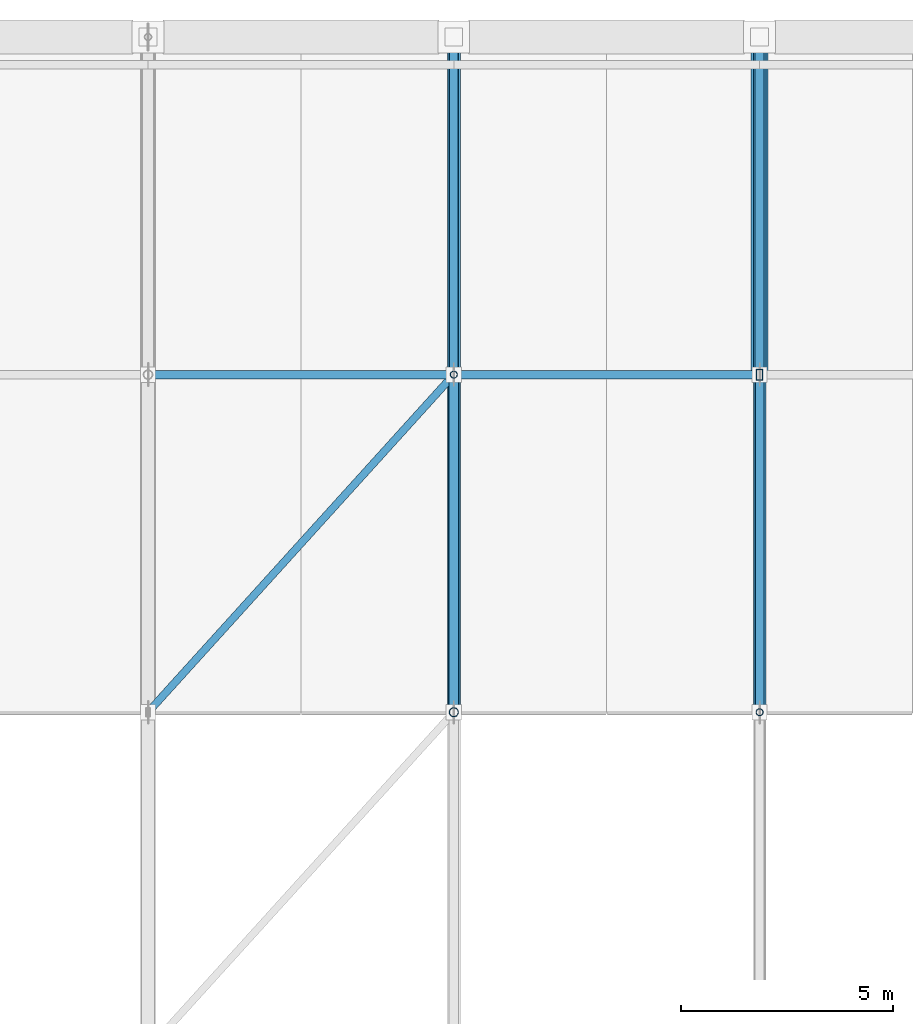
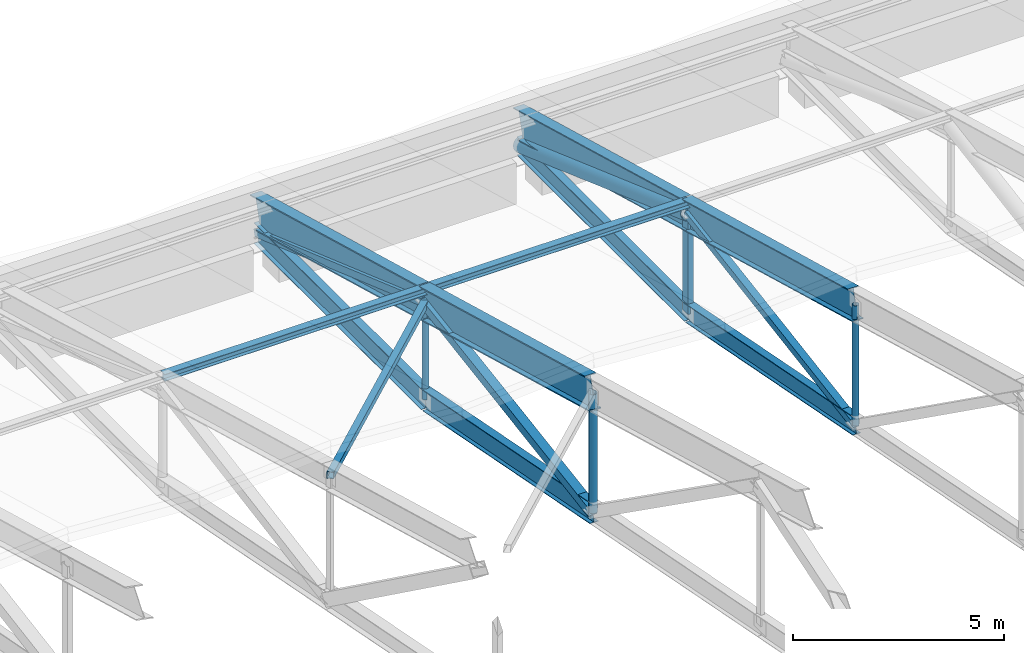
# One storey, part 22 of 53: 11 members, 8 beams.
"""IFC4 building model written with IfcOpenShell, lengths in metres."""

from ifc_helpers import new_model, si_unit, direction, frame, origin, origin_2d, place, context, subcontext, project, spatial, hollow_rectangle, hollow_circle, i_section, extrude, material, material_profile, profile_set, type_object, element, save


model = new_model("IFC4")

# Units and contexts
model_context = context("Model", 3, precision=1e-05, world=origin(), true_north=direction((0.0, 1.0)))
body_context = subcontext(model_context, "Body", "Model", "MODEL_VIEW")
ifc_project = project(units=[si_unit("LENGTHUNIT", "METRE"), si_unit("AREAUNIT", "SQUARE_METRE"), si_unit("VOLUMEUNIT", "CUBIC_METRE"), si_unit("PLANEANGLEUNIT", "RADIAN"), si_unit("MASSUNIT", "GRAM", prefix="KILO")], contexts=[model_context])

# Site, building, storey
site_placement = place(None, origin())
site = spatial("IfcSite", under=ifc_project, at=site_placement, CompositionType="ELEMENT")
building_placement = place(site_placement, origin())
building = spatial("IfcBuilding", under=site, at=building_placement, Name="Pellamere Symphony Hall", CompositionType="ELEMENT")
storey_placement = place(building_placement, frame((0.0, 0.0, 24.0)))
storey = spatial("IfcBuildingStorey", under=building, at=storey_placement, Name="L05", CompositionType="ELEMENT", Elevation=24.0)

# Beams
ifc_material = material(Name="Steel CSA G40.21 350W", Category="steel")
ifc_material_profile_1 = material_profile(ifc_material, i_section(OverallWidth=0.30810546875, OverallDepth=0.927001953125, WebThickness=0.019287109375, FlangeThickness=0.031982421875, at=origin_2d()), Name="W920X289")
ifc_profile_set_1 = profile_set([ifc_material_profile_1], Name="Steel CSA G40.21 350W")
beam_type_1 = type_object("IfcBeamType", Name="Steel Beam SB-02 W920X289", PredefinedType="BEAM", material=ifc_profile_set_1)
beam_1_placement = place(storey_placement, frame((87.60009765625, 77.699951171875, 5.151611328125), z_axis=(0.0, 0.964082854885, -0.265601673408), x_axis=(-1.0, 0.0, 0.0)))
element("IfcBeam", 1, at=beam_1_placement, inside=storey, type_object=beam_type_1, Name="Roof Truss TR-05 Top Chord 7", PredefinedType="BEAM", context=body_context, shape_type="SweptSolid", body=[
    extrude(i_section(OverallWidth=0.30810546875, OverallDepth=0.927001953125, WebThickness=0.019287109375, FlangeThickness=0.031982421875, at=origin_2d()), origin(), (0.0, 0.0, 1.0), 8.24609375),
])
beam_2_placement = place(storey_placement, frame((87.60009765625, 85.64990234375, 2.96142578125), z_axis=(0.0, 0.964092523779, -0.265566574693), x_axis=(-1.0, 0.0, 0.0)))
element("IfcBeam", 2, at=beam_2_placement, inside=storey, type_object=beam_type_1, Name="Roof Truss TR-05 Top Chord 8", PredefinedType="BEAM", context=body_context, shape_type="SweptSolid", body=[
    extrude(i_section(OverallWidth=0.30810546875, OverallDepth=0.927001953125, WebThickness=0.019287109375, FlangeThickness=0.031982421875, at=origin_2d()), origin(), (0.0, 0.0, 1.0), 8.246337890625),
])
ifc_material_profile_2 = material_profile(ifc_material, i_section(OverallWidth=0.2939453125, OverallDepth=0.85107421875, WebThickness=0.01611328125, FlangeThickness=0.02685546875, at=origin_2d()), Name="W840X226")
ifc_profile_set_2 = profile_set([ifc_material_profile_2], Name="Steel CSA G40.21 350W")
beam_type_2 = type_object("IfcBeamType", Name="Steel Beam SB-04 W840X226", PredefinedType="BEAM", material=ifc_profile_set_2)
beam_3_placement = place(storey_placement, frame((94.800048828125, 77.699951171875, 5.189453125), z_axis=(0.0, 0.964090435702, -0.265574154969), x_axis=(-1.0, 0.0, 0.0)))
element("IfcBeam", 3, at=beam_3_placement, inside=storey, type_object=beam_type_2, Name="Roof Truss TR-06 Top Chord 7", PredefinedType="BEAM", context=body_context, shape_type="SweptSolid", body=[
    extrude(i_section(OverallWidth=0.2939453125, OverallDepth=0.85107421875, WebThickness=0.01611328125, FlangeThickness=0.02685546875, at=origin_2d()), origin(), (0.0, 0.0, 1.0), 8.24609375),
])
beam_4_placement = place(storey_placement, frame((94.800048828125, 85.64990234375, 2.99951171875), z_axis=(0.0, 0.964092523779, -0.265566574693), x_axis=(-1.0, 0.0, 0.0)))
element("IfcBeam", 4, at=beam_4_placement, inside=storey, type_object=beam_type_2, Name="Roof Truss TR-06 Top Chord 8", PredefinedType="BEAM", context=body_context, shape_type="SweptSolid", body=[
    extrude(i_section(OverallWidth=0.2939453125, OverallDepth=0.85107421875, WebThickness=0.01611328125, FlangeThickness=0.02685546875, at=origin_2d()), origin(), (0.0, 0.0, 1.0), 8.246337890625),
])
ifc_material_profile_3 = material_profile(ifc_material, i_section(OverallWidth=0.22802734375, OverallDepth=0.60791015625, WebThickness=0.01123046875, FlangeThickness=0.017333984375, at=origin_2d()), Name="W610X113")
ifc_profile_set_3 = profile_set([ifc_material_profile_3], Name="Steel CSA G40.21 350W")
beam_type_3 = type_object("IfcBeamType", Name="Steel Beam SB-12 W610X113", PredefinedType="BEAM", material=ifc_profile_set_3)
beam_5_placement = place(storey_placement, frame((87.60009765625, 77.699951171875, 1.706787109375), z_axis=(0.0, 0.981591064498, -0.19099471746), x_axis=(-1.0, 0.0, 0.0)))
element("IfcBeam", 5, at=beam_5_placement, inside=storey, type_object=beam_type_3, Name="Roof Truss TR-05 Bottom Chord 7", PredefinedType="BEAM", context=body_context, shape_type="SweptSolid", body=[
    extrude(i_section(OverallWidth=0.22802734375, OverallDepth=0.60791015625, WebThickness=0.01123046875, FlangeThickness=0.017333984375, at=origin_2d()), origin(), (0.0, 0.0, 1.0), 8.09912109375),
])
beam_6_placement = place(storey_placement, frame((87.60009765625, 85.64990234375, 0.159912109375), z_axis=(0.0, 1.0, 0.0), x_axis=(-1.0, 0.0, 0.0)))
element("IfcBeam", 6, at=beam_6_placement, inside=storey, type_object=beam_type_3, Name="Roof Truss TR-05 Bottom Chord 8", PredefinedType="BEAM", context=body_context, shape_type="SweptSolid", body=[
    extrude(i_section(OverallWidth=0.22802734375, OverallDepth=0.60791015625, WebThickness=0.01123046875, FlangeThickness=0.017333984375, at=origin_2d()), origin(), (0.0, 0.0, 1.0), 7.9501953125),
])
ifc_material_profile_4 = material_profile(ifc_material, i_section(OverallWidth=0.2109375, OverallDepth=0.5390625, WebThickness=0.01171875, FlangeThickness=0.018798828125, at=origin_2d()), Name="W530X109")
ifc_profile_set_4 = profile_set([ifc_material_profile_4], Name="Steel CSA G40.21 350W")
beam_type_4 = type_object("IfcBeamType", Name="Steel Beam SB-14 W530X109", PredefinedType="BEAM", material=ifc_profile_set_4)
beam_7_placement = place(storey_placement, frame((94.800048828125, 77.699951171875, 1.706787109375), z_axis=(0.0, 0.981591064498, -0.19099471746), x_axis=(-1.0, 0.0, 0.0)))
element("IfcBeam", 7, at=beam_7_placement, inside=storey, type_object=beam_type_4, Name="Roof Truss TR-06 Bottom Chord 7", PredefinedType="BEAM", context=body_context, shape_type="SweptSolid", body=[
    extrude(i_section(OverallWidth=0.2109375, OverallDepth=0.5390625, WebThickness=0.01171875, FlangeThickness=0.018798828125, at=origin_2d()), origin(), (0.0, 0.0, 1.0), 8.09912109375),
])
beam_8_placement = place(storey_placement, frame((94.800048828125, 85.64990234375, 0.159912109375), z_axis=(0.0, 1.0, 0.0), x_axis=(-1.0, 0.0, 0.0)))
element("IfcBeam", 8, at=beam_8_placement, inside=storey, type_object=beam_type_4, Name="Roof Truss TR-06 Bottom Chord 8", PredefinedType="BEAM", context=body_context, shape_type="SweptSolid", body=[
    extrude(i_section(OverallWidth=0.2109375, OverallDepth=0.5390625, WebThickness=0.01171875, FlangeThickness=0.018798828125, at=origin_2d()), origin(), (0.0, 0.0, 1.0), 7.9501953125),
])

# Members
ifc_material_profile_5 = material_profile(ifc_material, hollow_rectangle(XDim=0.25390625, YDim=0.25390625, WallThickness=0.0126953125, at=origin_2d()), Name="HSS254X254X13")
ifc_profile_set_5 = profile_set([ifc_material_profile_5], Name="Steel CSA G40.21 350W")
member_type_1 = type_object("IfcMemberType", Name="Steel Member SM-03 HSS254X254X13", PredefinedType="BRACE", material=ifc_profile_set_5)
member_1_placement = place(storey_placement, frame((87.60009765625, 77.699951171875, 1.706787109375), z_axis=(0.0, 0.987774768268, 0.155887803155), x_axis=(-1.0, 0.0, 0.0)))
element("IfcMember", 9, at=member_1_placement, inside=storey, type_object=member_type_1, Name="Roof Truss TR-05 Web Diagonal 7", PredefinedType="BRACE", context=body_context, shape_type="SweptSolid", body=[
    extrude(hollow_rectangle(XDim=0.25390625, YDim=0.25390625, WallThickness=0.0126953125, at=origin_2d()), origin(), (0.0, 0.0, 1.0), 8.04833984375),
])
ifc_material_profile_6 = material_profile(ifc_material, hollow_rectangle(XDim=0.203125, YDim=0.203125, WallThickness=0.010986328125, at=origin_2d()), Name="HSS203X203X11")
ifc_profile_set_6 = profile_set([ifc_material_profile_6], Name="Steel CSA G40.21 350W")
member_type_2 = type_object("IfcMemberType", Name="Steel Member SM-04 HSS203X203X11", PredefinedType="BRACE", material=ifc_profile_set_6)
member_2_placement = place(storey_placement, frame((87.60009765625, 85.64990234375, 2.96142578125), z_axis=(0.0, 0.943155440914, -0.332351943388), x_axis=(-1.0, 0.0, 0.0)))
element("IfcMember", 10, at=member_2_placement, inside=storey, type_object=member_type_2, Name="Roof Truss TR-05 Web Diagonal 8", PredefinedType="BRACE", context=body_context, shape_type="SweptSolid", body=[
    extrude(hollow_rectangle(XDim=0.203125, YDim=0.203125, WallThickness=0.010986328125, at=origin_2d()), origin(), (0.0, 0.0, 1.0), 8.429443359375),
])
member_3_placement = place(storey_placement, frame((94.800048828125, 77.699951171875, 1.706787109375), z_axis=(0.0, 0.987035873002, 0.160499798776), x_axis=(-1.0, 0.0, 0.0)))
element("IfcMember", 11, at=member_3_placement, inside=storey, type_object=member_type_2, Name="Roof Truss TR-06 Web Diagonal 7", PredefinedType="BRACE", context=body_context, shape_type="SweptSolid", body=[
    extrude(hollow_rectangle(XDim=0.203125, YDim=0.203125, WallThickness=0.010986328125, at=origin_2d()), origin(), (0.0, 0.0, 1.0), 8.054443359375),
])
ifc_material_profile_7 = material_profile(ifc_material, hollow_rectangle(XDim=0.177734375, YDim=0.177734375, WallThickness=0.009521484375, at=origin_2d()), Name="HSS178X178X10")
ifc_profile_set_7 = profile_set([ifc_material_profile_7], Name="Steel CSA G40.21 350W")
member_type_3 = type_object("IfcMemberType", Name="Steel Member SM-05 HSS178X178X10", PredefinedType="BRACE", material=ifc_profile_set_7)
member_4_placement = place(storey_placement, frame((80.39990234375, 77.699951171875, 5.267578125), z_axis=(0.656293346218, 0.724633128743, -0.210204358754), x_axis=(-0.741193261843, 0.671291701571, 0.0)))
element("IfcMember", 12, at=member_4_placement, inside=storey, type_object=member_type_3, Name="Roof Truss Plan Wind Brace 4.6", PredefinedType="BRACE", context=body_context, shape_type="SweptSolid", body=[
    extrude(hollow_rectangle(XDim=0.177734375, YDim=0.177734375, WallThickness=0.009521484375, at=origin_2d()), origin(), (0.0, 0.0, 1.0), 10.970947265625),
])
ifc_material_profile_8 = material_profile(ifc_material, hollow_rectangle(XDim=0.15234375, YDim=0.25390625, WallThickness=0.010986328125, at=origin_2d()), Name="HSS254X152X11")
ifc_profile_set_8 = profile_set([ifc_material_profile_8], Name="Steel CSA G40.21 350W")
member_type_4 = type_object("IfcMemberType", Name="Steel Member SM-07 HSS254X152X11", PredefinedType="STRUT", material=ifc_profile_set_8)
member_5_placement = place(storey_placement, frame((94.800048828125, 85.64990234375, 0.159912109375), z_axis=(0.0, 0.0, 1.0), x_axis=(1.0, 0.0, 0.0)))
element("IfcMember", 13, at=member_5_placement, inside=storey, type_object=member_type_4, Name="Roof Truss TR-06 Vertical Post 7", PredefinedType="STRUT", context=body_context, shape_type="SweptSolid", body=[
    extrude(hollow_rectangle(XDim=0.15234375, YDim=0.25390625, WallThickness=0.010986328125, at=origin_2d()), origin(), (0.0, 0.0, 1.0), 2.839599609375),
])
ifc_material_profile_9 = material_profile(ifc_material, hollow_circle(Radius=0.203125, WallThickness=0.0126953125, at=origin_2d()), Name="HSS406X13")
ifc_profile_set_9 = profile_set([ifc_material_profile_9], Name="Steel CSA G40.21 350W")
member_type_5 = type_object("IfcMemberType", Name="Steel Member SM-09 HSS406X13", PredefinedType="STRUT", material=ifc_profile_set_9)
member_6_placement = place(storey_placement, frame((94.800048828125, 85.64990234375, 2.99951171875), z_axis=(0.0, 0.941732751241, -0.336362044886), x_axis=(-1.0, 0.0, 0.0)))
element("IfcMember", 14, at=member_6_placement, inside=storey, type_object=member_type_5, Name="Roof Truss TR-06 Web Diagonal 8", PredefinedType="STRUT", context=body_context, shape_type="SweptSolid", body=[
    extrude(hollow_circle(Radius=0.203125, WallThickness=0.0126953125, at=origin_2d()), origin(), (0.0, 0.0, 1.0), 8.442138671875),
])
ifc_material_profile_10 = material_profile(ifc_material, hollow_circle(Radius=0.109619140625, WallThickness=0.009521484375, at=origin_2d()), Name="HSS219X10")
ifc_profile_set_10 = profile_set([ifc_material_profile_10], Name="Steel CSA G40.21 350W")
member_type_6 = type_object("IfcMemberType", Name="Steel Member SM-13 HSS219X10", PredefinedType="STRUT", material=ifc_profile_set_10)
member_7_placement = place(storey_placement, frame((87.60009765625, 77.699951171875, 1.706787109375), z_axis=(0.0, 0.0, 1.0), x_axis=(1.0, 0.0, 0.0)))
element("IfcMember", 15, at=member_7_placement, inside=storey, type_object=member_type_6, Name="Roof Truss TR-05 Vertical Post 6", PredefinedType="STRUT", context=body_context, shape_type="SweptSolid", body=[
    extrude(hollow_circle(Radius=0.109619140625, WallThickness=0.009521484375, at=origin_2d()), origin(), (0.0, 0.0, 1.0), 3.44482421875),
])
ifc_material_profile_11 = material_profile(ifc_material, hollow_circle(Radius=0.084228515625, WallThickness=0.008056640625, at=origin_2d()), Name="HSS168X8")
ifc_profile_set_11 = profile_set([ifc_material_profile_11], Name="Steel CSA G40.21 350W")
member_type_7 = type_object("IfcMemberType", Name="Steel Member SM-14 HSS168X8", PredefinedType="COLLAR", material=ifc_profile_set_11)
member_8_placement = place(storey_placement, frame((87.60009765625, 85.64990234375, 0.159912109375), z_axis=(0.0, 0.0, 1.0), x_axis=(1.0, 0.0, 0.0)))
element("IfcMember", 16, at=member_8_placement, inside=storey, type_object=member_type_7, Name="Roof Truss TR-05 Vertical Post 7", PredefinedType="COLLAR", context=body_context, shape_type="SweptSolid", body=[
    extrude(hollow_circle(Radius=0.084228515625, WallThickness=0.008056640625, at=origin_2d()), origin(), (0.0, 0.0, 1.0), 2.801513671875),
])
member_9_placement = place(storey_placement, frame((94.800048828125, 77.699951171875, 1.706787109375), z_axis=(0.0, 0.0, 1.0), x_axis=(1.0, 0.0, 0.0)))
element("IfcMember", 17, at=member_9_placement, inside=storey, type_object=member_type_7, Name="Roof Truss TR-06 Vertical Post 6", PredefinedType="COLLAR", context=body_context, shape_type="SweptSolid", body=[
    extrude(hollow_circle(Radius=0.084228515625, WallThickness=0.008056640625, at=origin_2d()), origin(), (0.0, 0.0, 1.0), 3.482666015625),
])
ifc_material_profile_12 = material_profile(ifc_material, i_section(OverallWidth=0.2041015625, OverallDepth=0.2060546875, WebThickness=0.0078125, FlangeThickness=0.0126953125, at=origin_2d()), Name="W200X52")
ifc_profile_set_12 = profile_set([ifc_material_profile_12], Name="Steel CSA G40.21 350W")
member_type_8 = type_object("IfcMemberType", Name="Steel Member SM-15 W200X52", PredefinedType="PURLIN", material=ifc_profile_set_12)
member_10_placement = place(storey_placement, frame((80.39990234375, 85.64990234375, 3.322021484375), z_axis=(1.0, 0.0, 0.0), x_axis=(0.0, 1.0, 0.0)))
element("IfcMember", 18, at=member_10_placement, inside=storey, type_object=member_type_8, Name="Folded Roof Purlin 4.7", PredefinedType="PURLIN", context=body_context, shape_type="SweptSolid", body=[
    extrude(i_section(OverallWidth=0.2041015625, OverallDepth=0.2060546875, WebThickness=0.0078125, FlangeThickness=0.0126953125, at=origin_2d()), origin(), (0.0, 0.0, 1.0), 7.2001953125),
])
member_11_placement = place(storey_placement, frame((87.60009765625, 85.64990234375, 3.322021484375), z_axis=(1.0, 0.0, 0.0), x_axis=(0.0, 1.0, 0.0)))
element("IfcMember", 19, at=member_11_placement, inside=storey, type_object=member_type_8, Name="Folded Roof Purlin 5.7", PredefinedType="PURLIN", context=body_context, shape_type="SweptSolid", body=[
    extrude(i_section(OverallWidth=0.2041015625, OverallDepth=0.2060546875, WebThickness=0.0078125, FlangeThickness=0.0126953125, at=origin_2d()), origin(), (0.0, 0.0, 1.0), 7.199951171875),
])

save(model, "model.ifc")
